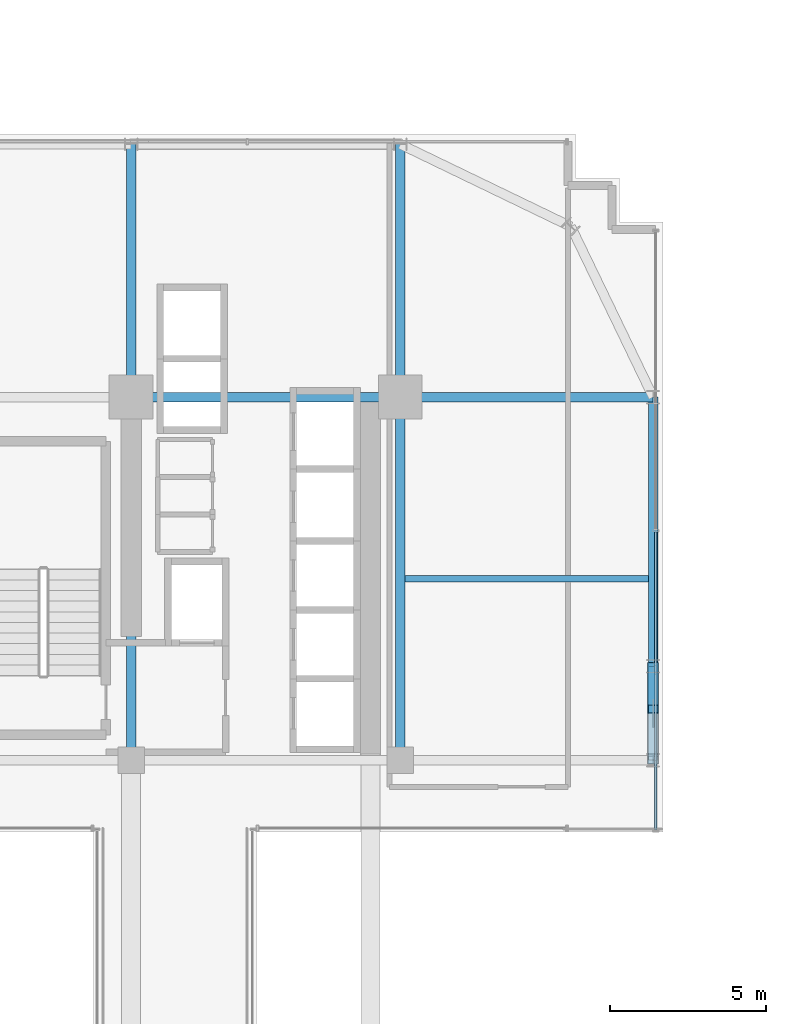
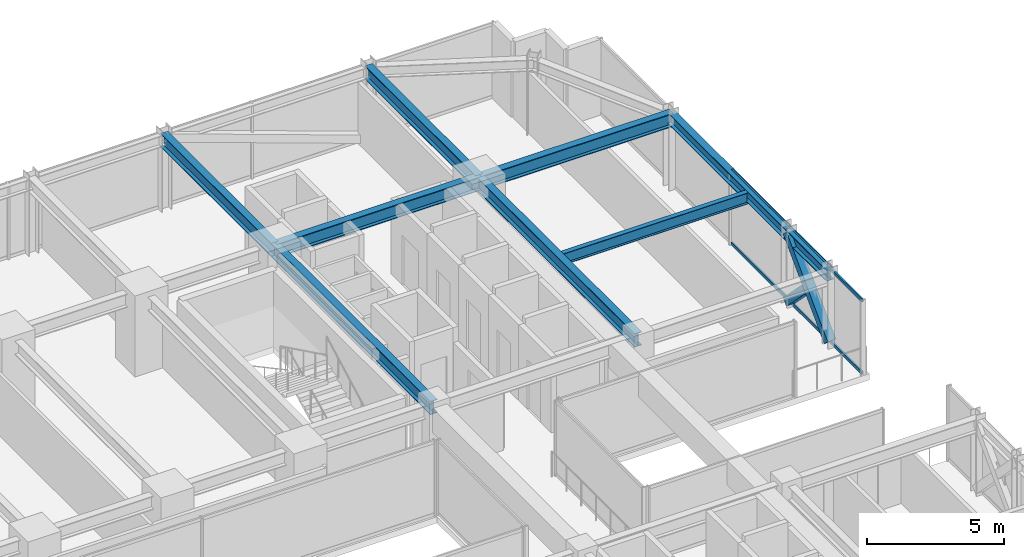
# One storey, part 29 of 41: 9 beams, 4 members, 1 element without a shape of its own.
"""IFC4 building model written with IfcOpenShell, lengths in metres."""

import ifcopenshell
import ifcopenshell.guid

model = None  # the IFC model being written
_history = None  # IfcOwnerHistory: only IFC2X3 demands one
_inside = {}  # id of a spatial element -> (the spatial element, [elements in it])
_under = {}  # id of a project, library or spatial element -> (it, [spatial elements below it])
_declared = {}  # id of a project -> (the project, [libraries it declares])
_typed = {}  # id of a type object -> (the type object, [elements of that type])
_made_of = {}  # id of a material, layer set ... -> (it, [elements and type objects made of it])


def new_model(schema):
    """Start an empty IFC model of exactly this schema.

    Asked for "IFC4X3", IfcOpenShell would pick the latest addendum, in which some entities
    have other attributes; the version numbers below select the first issue.
    IFC2X3 requires an IfcOwnerHistory on every rooted entity: one is made here for all.
    """
    global model, _history
    if schema == "IFC4X3":
        model = ifcopenshell.file(schema_version=(4, 3, 0, 0))
    else:
        model = ifcopenshell.file(schema=schema)
    _inside.clear()
    _under.clear()
    _declared.clear()
    _typed.clear()
    _made_of.clear()
    _history = None
    if model.schema == "IFC2X3":
        org = make("IfcOrganization", Name="unknown")
        user = make(
            "IfcPersonAndOrganization",
            ThePerson=make("IfcPerson", FamilyName="unknown"),
            TheOrganization=org,
        )
        app = make(
            "IfcApplication",
            ApplicationDeveloper=org,
            Version="unknown",
            ApplicationFullName="unknown",
            ApplicationIdentifier="unknown",
        )
        _history = make(
            "IfcOwnerHistory",
            OwningUser=user,
            OwningApplication=app,
            ChangeAction="ADDED",
            CreationDate=0,
        )
    return model


def make(cls, **values):
    """One entity of the class cls with the attributes given. An attribute that is None is left unset."""
    return model.create_entity(
        cls, **{name: value for name, value in values.items() if value is not None}
    )


def rooted(cls, **values):
    """An entity with a GlobalId (a new one), such as an element, a storey or a relation."""
    return make(cls, GlobalId=ifcopenshell.guid.new(), OwnerHistory=_history, **values)


def si_unit(unit_type, name, prefix=None):
    """IfcSIUnit, for example si_unit("LENGTHUNIT", "METRE", prefix="MILLI")."""
    return make("IfcSIUnit", UnitType=unit_type, Prefix=prefix, Name=name)


def assignment(units):
    """IfcUnitAssignment: the units of a project."""
    return None if units is None else make("IfcUnitAssignment", Units=units)


def point(xyz):
    """IfcCartesianPoint."""
    return None if xyz is None else make("IfcCartesianPoint", Coordinates=xyz)


def direction(xyz):
    """IfcDirection."""
    return None if xyz is None else make("IfcDirection", DirectionRatios=xyz)


def frame(location, z_axis=None, x_axis=None):
    """IfcAxis2Placement3D, a coordinate frame: its origin and axes. An axis left out is left unset."""
    return make(
        "IfcAxis2Placement3D",
        Location=point(location),
        Axis=direction(z_axis),
        RefDirection=direction(x_axis),
    )


def frame_2d(location, x_axis=None):
    """IfcAxis2Placement2D, a coordinate frame in the plane: its origin and x axis."""
    return make(
        "IfcAxis2Placement2D", Location=point(location), RefDirection=direction(x_axis)
    )


def origin():
    """The frame at (0, 0, 0) with its axes left unset."""
    return frame((0.0, 0.0, 0.0))


def origin_2d():
    """The frame at (0, 0) in the plane with its x axis left unset."""
    return frame_2d((0.0, 0.0))


def place(relative_to, where):
    """IfcLocalPlacement: puts the frame where relative to a parent placement (None: the world)."""
    return make(
        "IfcLocalPlacement", PlacementRelTo=relative_to, RelativePlacement=where
    )


def context(
    kind, dimensions, precision=None, world=None, true_north=None, identifier=None
):
    """IfcGeometricRepresentationContext, for example the 3D "Model" context."""
    return make(
        "IfcGeometricRepresentationContext",
        ContextIdentifier=identifier,
        ContextType=kind,
        CoordinateSpaceDimension=dimensions,
        Precision=precision,
        WorldCoordinateSystem=world,
        TrueNorth=true_north,
    )


def subcontext(parent, identifier, kind, view, scale=None):
    """IfcGeometricRepresentationSubContext, for example "Body" below "Model"."""
    return make(
        "IfcGeometricRepresentationSubContext",
        ContextIdentifier=identifier,
        ContextType=kind,
        ParentContext=parent,
        TargetScale=scale,
        TargetView=view,
    )


def project(units=None, contexts=None):
    """IfcProject with its units and contexts."""
    return rooted(
        "IfcProject",
        Name="project",
        RepresentationContexts=contexts,
        UnitsInContext=assignment(units),
    )


def spatial(cls, under=None, at=None, **own):
    """A site, building, storey or space (cls), placed at a placement, below another one or the project."""
    s = rooted(cls, ObjectPlacement=at, **own)
    if under is not None:
        _under.setdefault(under.id(), (under, []))[1].append(s)
    return s


def profile(cls, at=None, kind="AREA", **sizes):
    """A parametric profile (cls). Its sizes go by their IFC names, for example OverallWidth=200.0."""
    return make(cls, ProfileType=kind, Position=at, **sizes)


def hollow_rectangle(**sizes):
    """IfcRectangleHollowProfileDef."""
    return profile("IfcRectangleHollowProfileDef", **sizes)


def i_section(**sizes):
    """IfcIShapeProfileDef."""
    return profile("IfcIShapeProfileDef", **sizes)


def extrude(swept, where, along, depth):
    """IfcExtrudedAreaSolid: the profile swept, set in the frame where, extruded along a direction by depth."""
    return make(
        "IfcExtrudedAreaSolid",
        SweptArea=swept,
        Position=where,
        ExtrudedDirection=direction(along),
        Depth=depth,
    )


def shape(context_of_items, identifier, shape_type, items):
    """IfcShapeRepresentation: the items that make up one representation, for example the "Body"."""
    return make(
        "IfcShapeRepresentation",
        ContextOfItems=context_of_items,
        RepresentationIdentifier=identifier,
        RepresentationType=shape_type,
        Items=items,
    )


def source(mapping_origin, context_of_items, identifier, shape_type, items):
    """IfcRepresentationMap: a shape defined once, which mapped items show again and again."""
    return make(
        "IfcRepresentationMap",
        MappingOrigin=mapping_origin,
        MappedRepresentation=shape(context_of_items, identifier, shape_type, items),
    )


def transform(
    local_origin,
    x_axis=None,
    y_axis=None,
    z_axis=None,
    scale=None,
    scale2=None,
    scale3=None,
    uniform=True,
):
    """IfcCartesianTransformationOperator3D, or its non-uniform kind. x_axis, y_axis, z_axis: its Axis1, 2, 3."""
    if uniform:
        return make(
            "IfcCartesianTransformationOperator3D",
            Axis1=direction(x_axis),
            Axis2=direction(y_axis),
            LocalOrigin=point(local_origin),
            Scale=scale,
            Axis3=direction(z_axis),
        )
    return make(
        "IfcCartesianTransformationOperator3DnonUniform",
        Axis1=direction(x_axis),
        Axis2=direction(y_axis),
        LocalOrigin=point(local_origin),
        Scale=scale,
        Axis3=direction(z_axis),
        Scale2=scale2,
        Scale3=scale3,
    )


def mapped(mapping_source, mapping_target):
    """IfcMappedItem: shows the shape of a source again, moved by a transform."""
    return make(
        "IfcMappedItem", MappingSource=mapping_source, MappingTarget=mapping_target
    )


def material(Name=None, Category=None):
    """IfcMaterial."""
    return make("IfcMaterial", Name=Name, Category=Category)


def material_profile(
    of_material, cross_section, Name=None, Category=None, Priority=None
):
    """IfcMaterialProfile: a cross section and its material."""
    return make(
        "IfcMaterialProfile",
        Name=Name,
        Material=of_material,
        Profile=cross_section,
        Priority=Priority,
        Category=Category,
    )


def profile_set(profiles, Name=None, composite=None):
    """IfcMaterialProfileSet."""
    return make(
        "IfcMaterialProfileSet",
        Name=Name,
        MaterialProfiles=profiles,
        CompositeProfile=composite,
    )


def made_of(thing, what):
    """Note that an element or type object is made of a material, layer set ...; save() writes the relation."""
    if what is not None:
        _made_of.setdefault(what.id(), (what, []))[1].append(thing)
    return thing


def type_object(cls, material=None, **own):
    """A type object (cls), such as IfcWallType, which elements share."""
    return made_of(rooted(cls, **own), material)


def element(
    cls,
    number,
    at=None,
    inside=None,
    cuts=None,
    type_object=None,
    material=None,
    context=None,
    identifier="Body",
    shape_type=None,
    held_by="IfcProductDefinitionShape",
    body=None,
    shapes=None,
    **own,
):
    """One element of the class cls, such as IfcWall. Its Tag is "e" and its number.

    at: its placement. inside: the storey or other place that contains it. cuts: it is an
    opening in that element (IfcRelVoidsElement). A single representation is given by context,
    identifier, shape_type and body (its items); several are given by shapes. held_by: the class
    of the entity that holds the representations. save() writes the other relations.
    """
    e = rooted(cls, Tag="e%d" % number, ObjectPlacement=at, **own)
    if body is not None:
        shapes = [shape(context, identifier, shape_type, body)]
    if shapes is not None:
        e.Representation = make(held_by, Representations=shapes)
    if inside is not None:
        _inside.setdefault(inside.id(), (inside, []))[1].append(e)
    if cuts is not None:
        rooted(
            "IfcRelVoidsElement", RelatingBuildingElement=cuts, RelatedOpeningElement=e
        )
    if type_object is not None:
        _typed.setdefault(type_object.id(), (type_object, []))[1].append(e)
    return made_of(e, material)


def aggregate(whole, parts):
    """IfcRelAggregates: a whole, such as a stair, and the parts it consists of."""
    return rooted("IfcRelAggregates", RelatingObject=whole, RelatedObjects=parts)


def save(model, path):
    """Write the relations noted so far, then the file.

    IfcRelAggregates (storeys below a building ...), IfcRelContainedInSpatialStructure (elements
    in a storey), IfcRelDefinesByType, IfcRelAssociatesMaterial and IfcRelDeclares: one each for
    every whole, place, type object, material and project.
    """
    for whole, parts in _under.values():
        aggregate(whole, parts)
    for where, things in _inside.values():
        rooted(
            "IfcRelContainedInSpatialStructure",
            RelatedElements=things,
            RelatingStructure=where,
        )
    for kind, things in _typed.values():
        rooted("IfcRelDefinesByType", RelatedObjects=things, RelatingType=kind)
    for what, things in _made_of.values():
        rooted("IfcRelAssociatesMaterial", RelatedObjects=things, RelatingMaterial=what)
    for by, libraries in _declared.values():
        rooted("IfcRelDeclares", RelatingContext=by, RelatedDefinitions=libraries)
    model.write(path)


model = new_model("IFC4")

# Units and contexts
model_context = context("Model", 3, precision=1e-05, world=origin(), true_north=direction((0.0, 1.0)))
body_context = subcontext(model_context, "Body", "Model", "MODEL_VIEW")
ifc_project = project(units=[si_unit("LENGTHUNIT", "METRE"), si_unit("AREAUNIT", "SQUARE_METRE"), si_unit("VOLUMEUNIT", "CUBIC_METRE"), si_unit("PLANEANGLEUNIT", "RADIAN"), si_unit("MASSUNIT", "GRAM", prefix="KILO")], contexts=[model_context])

# Site, building, storey
site_placement = place(None, origin())
site = spatial("IfcSite", under=ifc_project, at=site_placement, CompositionType="ELEMENT")
building_placement = place(site_placement, origin())
building = spatial("IfcBuilding", under=site, at=building_placement, Name="Nahalor Promenade Grand Hotel", CompositionType="ELEMENT")
storey_placement = place(building_placement, frame((0.0, 0.0, 54.300048828125)))
storey = spatial("IfcBuildingStorey", under=building, at=storey_placement, Name="L12", CompositionType="ELEMENT", Elevation=54.300048828125)

# Beams
ifc_material_1 = material(Name="Steel S355JR", Category="steel")
ifc_material_profile_1 = material_profile(ifc_material_1, i_section(OverallWidth=0.3, OverallDepth=0.6, WebThickness=0.0155, FlangeThickness=0.03, at=origin_2d()), Name="HEB 600")
ifc_profile_set_1 = profile_set([ifc_material_profile_1], Name="Steel S355JR")
beam_type_1 = type_object("IfcBeamType", Name="Beam-Girder-HEB600", PredefinedType="BEAM", material=ifc_profile_set_1)
shared_shape_1 = source(origin(), body_context, "Body", "SweptSolid", [
    extrude(i_section(OverallWidth=0.3, OverallDepth=0.6, WebThickness=0.0155, FlangeThickness=0.03, at=origin_2d()), origin(), (0.0, 0.0, 1.0), 8.60009765625),
])
beam_1_placement = place(storey_placement, frame((8.39990234375, 17.0, 3.070068359375), z_axis=(1.0, 0.0, 0.0), x_axis=(0.0, 1.0, 0.0)))
element("IfcBeam", 1, at=beam_1_placement, inside=storey, type_object=beam_type_1, Name="BM-L12-GX-3-5", PredefinedType="BEAM", context=body_context, shape_type="MappedRepresentation", body=[
    mapped(shared_shape_1, transform((0.0, 0.0, 0.0), scale=1.0)),
])
shared_shape_2 = source(origin(), body_context, "Body", "SweptSolid", [
    extrude(i_section(OverallWidth=0.3, OverallDepth=0.6, WebThickness=0.0155, FlangeThickness=0.03, at=origin_2d()), origin(), (0.0, 0.0, 1.0), 11.60009765625),
])
for number, where, z_axis, x_axis, name in (
    (2, (8.39990234375, 5.39990234375, 3.070068359375), (0.0, 1.0, 0.0), (-1.0, 0.0, 0.0), "BM-L12-GY-4-3"),
    (3, (17.0, 5.39990234375, 3.070068359375), (0.0, 1.0, 0.0), (-1.0, 0.0, 0.0), "BM-L12-GY-5-3"),
):
    element("IfcBeam", number, at=place(storey_placement, frame(where, z_axis=z_axis, x_axis=x_axis)), inside=storey, type_object=beam_type_1, Name=name, PredefinedType="BEAM", context=body_context, shape_type="MappedRepresentation", body=[
        mapped(shared_shape_2, transform((0.0, 0.0, 0.0), scale=1.0)),
    ])
ifc_material_profile_2 = material_profile(ifc_material_1, i_section(OverallWidth=0.3, OverallDepth=0.5, WebThickness=0.0145, FlangeThickness=0.028, at=origin_2d()), Name="HEB 500")
ifc_profile_set_2 = profile_set([ifc_material_profile_2], Name="Steel S355JR")
beam_type_2 = type_object("IfcBeamType", Name="Beam-Spandrel-HEB500", PredefinedType="SPANDREL", material=ifc_profile_set_2)
shared_shape_3 = source(origin(), body_context, "Body", "SweptSolid", [
    extrude(i_section(OverallWidth=0.3, OverallDepth=0.5, WebThickness=0.0145, FlangeThickness=0.028, at=origin_2d()), origin(), (0.0, 0.0, 1.0), 8.60009765625),
])
beam_2_placement = place(storey_placement, frame((25.080078125, 8.39990234375, 3.119873046875), z_axis=(0.0, 1.0, 0.0), x_axis=(-1.0, 0.0, 0.0)))
element("IfcBeam", 4, at=beam_2_placement, inside=storey, type_object=beam_type_2, Name="BM-L12-SP-E-4", PredefinedType="SPANDREL", context=body_context, shape_type="MappedRepresentation", body=[
    mapped(shared_shape_3, transform((0.0, 0.0, 0.0), scale=1.0)),
])
shared_shape_4 = source(origin(), body_context, "Body", "SweptSolid", [
    extrude(i_section(OverallWidth=0.3, OverallDepth=0.5, WebThickness=0.0145, FlangeThickness=0.028, at=origin_2d()), origin(), (0.0, 0.0, 1.0), 3.0),
])
beam_3_placement = place(storey_placement, frame((25.080078125, 5.39990234375, 3.119873046875), z_axis=(0.0, 1.0, 0.0), x_axis=(-1.0, 0.0, 0.0)))
element("IfcBeam", 5, at=beam_3_placement, inside=storey, type_object=beam_type_2, Name="BM-L12-SP-E-3", PredefinedType="SPANDREL", context=body_context, shape_type="MappedRepresentation", body=[
    mapped(shared_shape_4, transform((0.0, 0.0, 0.0), scale=1.0)),
])
shared_shape_5 = source(origin(), body_context, "Body", "SweptSolid", [
    extrude(i_section(OverallWidth=0.3, OverallDepth=0.6, WebThickness=0.0155, FlangeThickness=0.03, at=origin_2d()), origin(), (0.0, 0.0, 1.0), 8.080078125),
])
for number, where, z_axis, x_axis, name in (
    (6, (17.0, 17.0, 3.070068359375), (1.0, 0.0, 0.0), (0.0, 1.0, 0.0), "BM-L12-GX-3-6"),
    (7, (8.39990234375, 17.0, 3.070068359375), (0.0, 1.0, 0.0), (-1.0, 0.0, 0.0), "BM-L12-GY-4-4"),
    (8, (17.0, 17.0, 3.070068359375), (0.0, 1.0, 0.0), (-1.0, 0.0, 0.0), "BM-L12-GY-5-4"),
):
    element("IfcBeam", number, at=place(storey_placement, frame(where, z_axis=z_axis, x_axis=x_axis)), inside=storey, type_object=beam_type_1, Name=name, PredefinedType="BEAM", context=body_context, shape_type="MappedRepresentation", body=[
        mapped(shared_shape_5, transform((0.0, 0.0, 0.0), scale=1.0)),
    ])
ifc_material_profile_3 = material_profile(ifc_material_1, i_section(OverallWidth=0.2, OverallDepth=0.5, WebThickness=0.0102, FlangeThickness=0.016, at=origin_2d()), Name="IPE 500")
ifc_profile_set_3 = profile_set([ifc_material_profile_3], Name="Steel S355JR")
beam_type_3 = type_object("IfcBeamType", Name="Beam-Joist-IPE500", PredefinedType="JOIST", material=ifc_profile_set_3)
shared_shape_6 = source(origin(), body_context, "Body", "SweptSolid", [
    extrude(i_section(OverallWidth=0.2, OverallDepth=0.5, WebThickness=0.0102, FlangeThickness=0.016, at=origin_2d()), origin(), (0.0, 0.0, 1.0), 7.780029296875),
])
beam_4_placement = place(storey_placement, frame((17.14990234375, 11.199951171875, 3.119873046875), z_axis=(1.0, 0.0, 0.0), x_axis=(0.0, 1.0, 0.0)))
element("IfcBeam", 9, at=beam_4_placement, inside=storey, type_object=beam_type_3, Name="BM-L12-JSE-1-2", PredefinedType="JOIST", context=body_context, shape_type="MappedRepresentation", body=[
    mapped(shared_shape_6, transform((0.0, 0.0, 0.0), scale=1.0)),
])

# Members
ifc_material_profile_4 = material_profile(ifc_material_1, hollow_rectangle(XDim=0.35, YDim=0.35, WallThickness=0.02, at=origin_2d()), Name="SHS 350x350x20")
ifc_profile_set_4 = profile_set([ifc_material_profile_4], Name="Steel S355JR")
member_type_1 = type_object("IfcMemberType", Name="Mem-VoidBrace-SHS350", PredefinedType="BRACE", material=ifc_profile_set_4)
shared_shape_7 = source(origin(), body_context, "Body", "SweptSolid", [
    extrude(hollow_rectangle(XDim=0.35, YDim=0.35, WallThickness=0.02, at=origin_2d()), origin(), (0.0, 0.0, 1.0), 4.29248046875),
])
member_1_placement = place(storey_placement, frame((25.080078125, 5.39990234375, 0.14990234375), z_axis=(0.0, 0.698897904453, 0.715221447631), x_axis=(-1.0, 0.0, 0.0)))
element("IfcMember", 10, at=member_1_placement, inside=storey, type_object=member_type_1, Name="EXO-L12-VX1-E1", PredefinedType="BRACE", context=body_context, shape_type="MappedRepresentation", body=[
    mapped(shared_shape_7, transform((0.0, 0.0, 0.0), scale=1.0)),
])
shared_shape_8 = source(origin(), body_context, "Body", "SweptSolid", [
    extrude(hollow_rectangle(XDim=0.35, YDim=0.35, WallThickness=0.02, at=origin_2d()), origin(), (0.0, 0.0, 1.0), 1.959228515625),
])
member_2_placement = place(storey_placement, frame((25.080078125, 8.39990234375, 0.14990234375), z_axis=(0.0, -0.698834435327, 0.715283462692), x_axis=(1.0, 0.0, 0.0)))
element("IfcMember", 11, at=member_2_placement, inside=storey, type_object=member_type_1, Name="EXO-L12-VX2-E1A", PredefinedType="BRACE", context=body_context, shape_type="MappedRepresentation", body=[
    mapped(shared_shape_8, transform((0.0, 0.0, 0.0), scale=1.0)),
])

# Curtain wall, members
ifc_material_2 = material(Name="Anodised Bronze Aluminium EN AW-6063 T6", Category="aluminium")
curtain_wall_type = type_object("IfcCurtainWallType", Name="CW3 Elliptical-Void Collar Unitised Curtain Wall", PredefinedType="USERDEFINED", material=ifc_material_2)
curtain_wall_placement = place(storey_placement, origin())
curtain_wall = element("IfcCurtainWall", 12, at=curtain_wall_placement, inside=storey, type_object=curtain_wall_type, Name="L12 Curtain Wall CW-L12-E-4", ObjectType="UNITISED_CURTAIN_WALL", PredefinedType="USERDEFINED")
ifc_material_profile_5 = material_profile(ifc_material_2, hollow_rectangle(XDim=0.07, YDim=0.14, WallThickness=0.004, at=origin_2d()), Name="CWT 70x140x4")
ifc_profile_set_5 = profile_set([ifc_material_profile_5], Name="Anodised Bronze Aluminium EN AW-6063 T6")
member_type_2 = type_object("IfcMemberType", Name="CWT3 Void Collar Transom 70x140", PredefinedType="USERDEFINED", material=ifc_profile_set_5)
shared_shape_9 = source(origin(), body_context, "Body", "SweptSolid", [
    extrude(hollow_rectangle(XDim=0.07, YDim=0.14, WallThickness=0.004, at=origin_2d()), origin(), (0.0, 0.0, 1.0), 9.525146484375),
])
member_3_placement = place(storey_placement, frame((25.159912109375, 3.169921875, 0.070068359375), z_axis=(0.0, 1.0, 0.0), x_axis=(-1.0, 0.0, 0.0)))
member_3 = element("IfcMember", 13, at=member_3_placement, type_object=member_type_2, Name="CW-L12-E-4 Transom 0-0", ObjectType="TRANSOM", PredefinedType="USERDEFINED", context=body_context, shape_type="MappedRepresentation", body=[
    mapped(shared_shape_9, transform((0.0, 0.0, 0.0), scale=1.0)),
])
member_4_placement = place(storey_placement, frame((25.159912109375, 3.169921875, 3.300048828125), z_axis=(0.0, 1.0, 0.0), x_axis=(-1.0, 0.0, 0.0)))
member_4 = element("IfcMember", 14, at=member_4_placement, type_object=member_type_2, Name="CW-L12-E-4 Transom 0-1", ObjectType="TRANSOM", PredefinedType="USERDEFINED", context=body_context, shape_type="MappedRepresentation", body=[
    mapped(shared_shape_9, transform((0.0, 0.0, 0.0), scale=1.0)),
])
aggregate(curtain_wall, [member_3, member_4])

save(model, "model.ifc")
